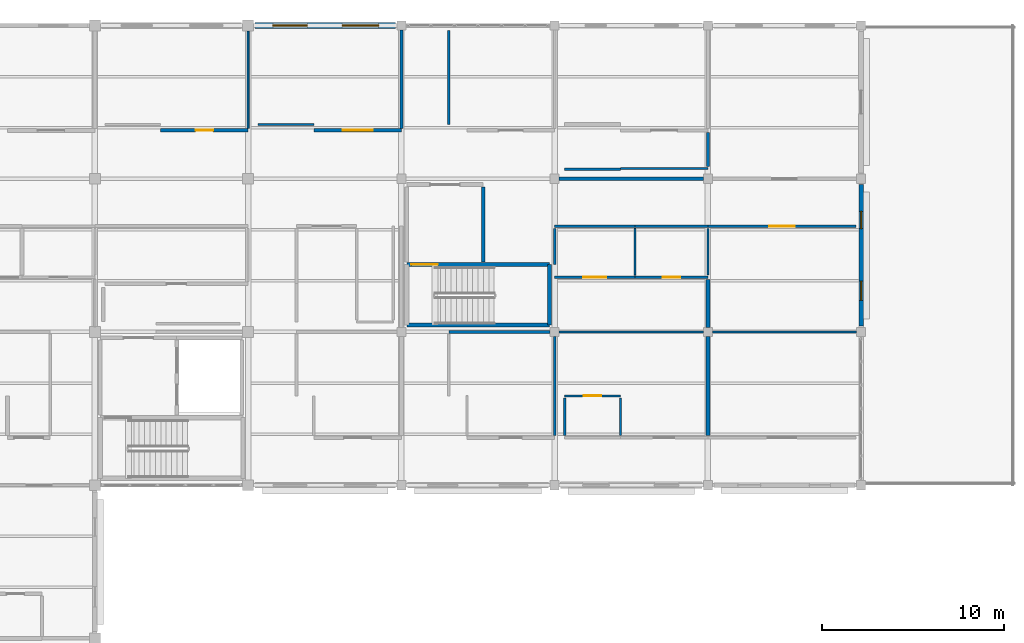
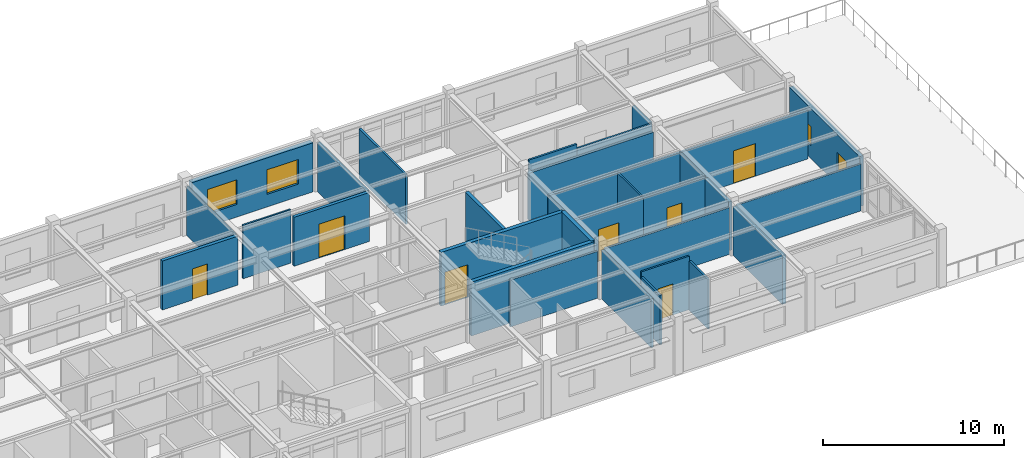
# One storey, part 58 of 70: 33 walls, 7 doors, 4 windows, 11 openings.
"""IFC4 building model written with IfcOpenShell, lengths in metres."""

from ifc_helpers import new_model, si_unit, direction, frame, frame_2d, origin, place, context, subcontext, project, spatial, rectangle, extrude, material, layer, layer_set, type_object, element, fill, save


model = new_model("IFC4")

# Units and contexts
model_context = context("Model", 3, precision=1e-05, world=origin(), true_north=direction((0.0, 1.0)))
body_context = subcontext(model_context, "Body", "Model", "MODEL_VIEW")
ifc_project = project(units=[si_unit("LENGTHUNIT", "METRE"), si_unit("AREAUNIT", "SQUARE_METRE"), si_unit("VOLUMEUNIT", "CUBIC_METRE"), si_unit("PLANEANGLEUNIT", "RADIAN"), si_unit("MASSUNIT", "GRAM", prefix="KILO")], contexts=[model_context])

# Site, building, storey
site_placement = place(None, origin())
site = spatial("IfcSite", under=ifc_project, at=site_placement, CompositionType="ELEMENT")
building_placement = place(site_placement, origin())
building = spatial("IfcBuilding", under=site, at=building_placement, Name="Bramfleet General Hospital", CompositionType="ELEMENT")
storey_placement = place(building_placement, frame((0.0, 0.0, 22.5)))
storey = spatial("IfcBuildingStorey", under=building, at=storey_placement, Name="L05", CompositionType="ELEMENT", Elevation=22.5)

# Wall, openings, windows
ifc_material_1 = material(Name="Precast concrete C40/50", Category="concrete")
ifc_layer_1 = layer(ifc_material_1, 0.31494140625, Name="WT-EW-04")
ifc_layer_set_1 = layer_set([ifc_layer_1], Name="Precast concrete C40/50")
wall_type_1 = type_object("IfcWallType", Name="WT-EW-04", PredefinedType="SOLIDWALL", material=ifc_layer_set_1)
wall_1_placement = place(storey_placement, frame((126.375, 117.60009765625, 0.0), z_axis=(0.0, 0.0, 1.0), x_axis=(1.0, 0.0, 0.0)))
wall_1 = element("IfcWall", 1, at=wall_1_placement, inside=storey, type_object=wall_type_1, Name="L05 Exterior Wall 352", PredefinedType="SOLIDWALL", context=body_context, shape_type="SweptSolid", body=[
    extrude(rectangle(XDim=7.699951171875, YDim=0.31494140625, at=frame_2d((3.85009765625, 0.0))), origin(), (0.0, 0.0, 1.0), 3.31005859375),
])
opening_1_placement = place(wall_1_placement, frame((0.97509765625, 0.0, 0.85009765625)))
opening_1 = element("IfcOpeningElement", 2, at=opening_1_placement, cuts=wall_1, Name="Opening W-39", PredefinedType="OPENING", context=body_context, shape_type="SweptSolid", body=[
    extrude(rectangle(XDim=1.89990234375, YDim=1.659912109375, at=frame_2d((0.949951171875, 0.830078125))), frame((0.0, 0.16748046875, 0.0), z_axis=(0.0, -1.0, 0.0), x_axis=(1.0, 0.0, 0.0)), (0.0, 0.0, 1.0), 0.3349609375),
])
opening_2_placement = place(wall_1_placement, frame((4.77490234375, 0.0, 0.85009765625)))
opening_2 = element("IfcOpeningElement", 3, at=opening_2_placement, cuts=wall_1, Name="Opening W-40", PredefinedType="OPENING", context=body_context, shape_type="SweptSolid", body=[
    extrude(rectangle(XDim=2.0, YDim=1.659912109375, at=frame_2d((1.0, 0.830078125))), frame((0.0, 0.16748046875, 0.0), z_axis=(0.0, -1.0, 0.0), x_axis=(1.0, 0.0, 0.0)), (0.0, 0.0, 1.0), 0.3349609375),
])
ifc_material_2 = material(Name="Anodised aluminium and low-E triple glazing", Category="aluminium")
window_type_1 = type_object("IfcWindowType", Name="WIN-W-39", PartitioningType="SINGLE_PANEL", PredefinedType="WINDOW", material=ifc_material_2)
window_1_placement = place(opening_1_placement, origin())
window_1 = element("IfcWindow", 4, at=window_1_placement, inside=storey, type_object=window_type_1, Name="L05 Facade Window WIN-L05-352-1", OverallHeight=1.659912109375, OverallWidth=1.89990234375, PartitioningType="SINGLE_PANEL", PredefinedType="WINDOW", context=body_context, shape_type="SweptSolid", body=[
    extrude(rectangle(XDim=1.89990234375, YDim=1.659912109375, at=frame_2d((0.949951171875, 0.830078125))), frame((0.0, 0.030029296875, 0.0), z_axis=(0.0, -1.0, 0.0), x_axis=(1.0, 0.0, 0.0)), (0.0, 0.0, 1.0), 0.06005859375),
])
fill(opening_1, window_1)
window_type_2 = type_object("IfcWindowType", Name="WIN-W-40", PartitioningType="SINGLE_PANEL", PredefinedType="WINDOW", material=ifc_material_2)
window_2_placement = place(opening_2_placement, origin())
window_2 = element("IfcWindow", 5, at=window_2_placement, inside=storey, type_object=window_type_2, Name="L05 Facade Window WIN-L05-352-2", OverallHeight=1.659912109375, OverallWidth=2.0, PartitioningType="SINGLE_PANEL", PredefinedType="WINDOW", context=body_context, shape_type="SweptSolid", body=[
    extrude(rectangle(XDim=2.0, YDim=1.659912109375, at=frame_2d((1.0, 0.830078125))), frame((0.0, 0.030029296875, 0.0), z_axis=(0.0, -1.0, 0.0), x_axis=(1.0, 0.0, 0.0)), (0.0, 0.0, 1.0), 0.06005859375),
])
fill(opening_2, window_2)

ifc_layer_2 = layer(ifc_material_1, 0.25, Name="WT-EW-08")
ifc_layer_set_2 = layer_set([ifc_layer_2], Name="Precast concrete C40/50")
wall_type_2 = type_object("IfcWallType", Name="WT-EW-08", PredefinedType="SOLIDWALL", material=ifc_layer_set_2)
wall_2_placement = place(storey_placement, frame((159.60009765625, 108.875, 0.0), z_axis=(0.0, 0.0, 1.0), x_axis=(0.0, -1.0, 0.0)))
wall_2 = element("IfcWall", 6, at=wall_2_placement, inside=storey, type_object=wall_type_2, Name="L05 Exterior Wall 356", PredefinedType="SOLIDWALL", context=body_context, shape_type="SweptSolid", body=[
    extrude(rectangle(XDim=7.75, YDim=0.25, at=frame_2d((3.875, 0.0))), origin(), (0.0, 0.0, 1.0), 3.3701171875),
])
opening_3_placement = place(wall_2_placement, frame((1.46240234375, 0.0, 0.85009765625)))
opening_3 = element("IfcOpeningElement", 7, at=opening_3_placement, cuts=wall_2, Name="Opening W-01", PredefinedType="OPENING", context=body_context, shape_type="SweptSolid", body=[
    extrude(rectangle(XDim=0.949951171875, YDim=1.300048828125, at=frame_2d((0.47509765625, 0.64990234375))), frame((0.0, 0.135009765625, 0.0), z_axis=(0.0, -1.0, 0.0), x_axis=(1.0, 0.0, 0.0)), (0.0, 0.0, 1.0), 0.27001953125),
])
opening_4_placement = place(wall_2_placement, frame((5.28759765625, 0.0, 0.85009765625)))
opening_4 = element("IfcOpeningElement", 8, at=opening_4_placement, cuts=wall_2, Name="Opening W-02", PredefinedType="OPENING", context=body_context, shape_type="SweptSolid", body=[
    extrude(rectangle(XDim=1.050048828125, YDim=1.300048828125, at=frame_2d((0.52490234375, 0.64990234375))), frame((0.0, 0.135009765625, 0.0), z_axis=(0.0, -1.0, 0.0), x_axis=(1.0, 0.0, 0.0)), (0.0, 0.0, 1.0), 0.27001953125),
])
window_type_3 = type_object("IfcWindowType", Name="WIN-W-01", PartitioningType="SINGLE_PANEL", PredefinedType="WINDOW", material=ifc_material_2)
window_3_placement = place(opening_3_placement, origin())
window_3 = element("IfcWindow", 9, at=window_3_placement, inside=storey, type_object=window_type_3, Name="L05 Facade Window WIN-L05-356-1", OverallHeight=1.300048828125, OverallWidth=0.949951171875, PartitioningType="SINGLE_PANEL", PredefinedType="WINDOW", context=body_context, shape_type="SweptSolid", body=[
    extrude(rectangle(XDim=0.949951171875, YDim=1.300048828125, at=frame_2d((0.47509765625, 0.64990234375))), frame((0.0, 0.030029296875, 0.0), z_axis=(0.0, -1.0, 0.0), x_axis=(1.0, 0.0, 0.0)), (0.0, 0.0, 1.0), 0.06005859375),
])
fill(opening_3, window_3)
window_type_4 = type_object("IfcWindowType", Name="WIN-W-02", PartitioningType="SINGLE_PANEL", PredefinedType="WINDOW", material=ifc_material_2)
window_4_placement = place(opening_4_placement, origin())
window_4 = element("IfcWindow", 10, at=window_4_placement, inside=storey, type_object=window_type_4, Name="L05 Facade Window WIN-L05-356-2", OverallHeight=1.300048828125, OverallWidth=1.050048828125, PartitioningType="SINGLE_PANEL", PredefinedType="WINDOW", context=body_context, shape_type="SweptSolid", body=[
    extrude(rectangle(XDim=1.050048828125, YDim=1.300048828125, at=frame_2d((0.52490234375, 0.64990234375))), frame((0.0, 0.030029296875, 0.0), z_axis=(0.0, -1.0, 0.0), x_axis=(1.0, 0.0, 0.0)), (0.0, 0.0, 1.0), 0.06005859375),
])
fill(opening_4, window_4)

# Walls
ifc_material_3 = material(Name="Concrete C35/45", Category="concrete")
ifc_layer_3 = layer(ifc_material_3, 0.219970703125, Name="WT-IW-01")
ifc_layer_set_3 = layer_set([ifc_layer_3], Name="Concrete C35/45")
wall_type_3 = type_object("IfcWallType", Name="WT-IW-01", PredefinedType="PARTITIONING", material=ifc_layer_set_3)
wall_3_placement = place(storey_placement, frame((151.199951171875, 95.114990234375, 0.0), z_axis=(0.0, 0.0, 1.0), x_axis=(0.0, 1.0, 0.0)))
element("IfcWall", 11, at=wall_3_placement, inside=storey, type_object=wall_type_3, Name="L05 Interior Partition IW-L05-3829", PredefinedType="PARTITIONING", context=body_context, shape_type="SweptSolid", body=[
    extrude(rectangle(XDim=5.43994140625, YDim=0.219970703125, at=frame_2d((2.719970703125, 0.0))), origin(), (0.0, 0.0, 1.0), 3.2900390625),
])
ifc_layer_4 = layer(ifc_material_3, 0.205078125, Name="WT-IW-02")
ifc_layer_set_4 = layer_set([ifc_layer_4], Name="Concrete C35/45")
wall_type_4 = type_object("IfcWallType", Name="WT-IW-02", PredefinedType="PARTITIONING", material=ifc_layer_set_4)
wall_4_placement = place(storey_placement, frame((138.8798828125, 104.639892578125, 0.0), z_axis=(0.0, 0.0, 1.0), x_axis=(0.0, 1.0, 0.0)))
element("IfcWall", 12, at=wall_4_placement, inside=storey, type_object=wall_type_4, Name="L05 C9 Lobby East Shaft Wall", PredefinedType="PARTITIONING", context=body_context, shape_type="SweptSolid", body=[
    extrude(rectangle(XDim=4.1201171875, YDim=0.205078125, at=frame_2d((2.06005859375, 0.0))), origin(), (0.0, 0.0, 1.0), 3.610107421875),
])

# Wall, opening, door
wall_5_placement = place(storey_placement, frame((121.199951171875, 111.85009765625, 0.0), z_axis=(0.0, 0.0, 1.0), x_axis=(1.0, 0.0, 0.0)))
wall_5 = element("IfcWall", 13, at=wall_5_placement, inside=storey, type_object=wall_type_4, Name="L05 Interior Partition IW-L05-3650", PredefinedType="PARTITIONING", context=body_context, shape_type="SweptSolid", body=[
    extrude(rectangle(XDim=4.800048828125, YDim=0.205078125, at=frame_2d((2.39990234375, 0.0))), origin(), (0.0, 0.0, 1.0), 3.300048828125),
])
opening_5_placement = place(wall_5_placement, frame((1.925048828125, 0.0, 0.0)))
opening_5 = element("IfcOpeningElement", 14, at=opening_5_placement, cuts=wall_5, Name="Opening D1418", PredefinedType="OPENING", context=body_context, shape_type="SweptSolid", body=[
    extrude(rectangle(XDim=0.949951171875, YDim=2.10009765625, at=frame_2d((0.47509765625, 1.050048828125))), frame((0.0, 0.112548828125, 0.0), z_axis=(0.0, -1.0, 0.0), x_axis=(1.0, 0.0, 0.0)), (0.0, 0.0, 1.0), 0.22509765625),
])
ifc_material_4 = material(Name="Stainless steel and acoustic timber leaf", Category="steel")
door_type_1 = type_object("IfcDoorType", Name="DR-D-10", OperationType="NOTDEFINED", PredefinedType="DOOR", material=ifc_material_4)
door_1_placement = place(opening_5_placement, origin())
door_1 = element("IfcDoor", 15, at=door_1_placement, inside=storey, type_object=door_type_1, Name="Medical and Cardiology Ward Bedroom L05-1413 Door D1418", OperationType="SINGLE_SWING_LEFT", OverallHeight=2.10009765625, OverallWidth=0.949951171875, PredefinedType="DOOR", context=body_context, shape_type="SweptSolid", body=[
    extrude(rectangle(XDim=0.949951171875, YDim=2.10009765625, at=frame_2d((0.47509765625, 1.050048828125))), frame((0.0, 0.02490234375, 0.0), z_axis=(0.0, -1.0, 0.0), x_axis=(1.0, 0.0, 0.0)), (0.0, 0.0, 1.0), 0.050048828125),
])
fill(opening_5, door_1)

# Wall
wall_6_placement = place(storey_placement, frame((151.199951171875, 101.044921875, 0.0), z_axis=(0.0, 0.0, 1.0), x_axis=(0.0, 1.0, 0.0)))
element("IfcWall", 16, at=wall_6_placement, inside=storey, type_object=wall_type_4, Name="L05 Interior Partition IW-L05-3830", PredefinedType="PARTITIONING", context=body_context, shape_type="SweptSolid", body=[
    extrude(rectangle(XDim=2.64013671875, YDim=0.205078125, at=frame_2d((1.320068359375, 0.0))), origin(), (0.0, 0.0, 1.0), 3.2900390625),
])

# Wall, opening, door
ifc_layer_5 = layer(ifc_material_3, 0.18994140625, Name="WT-IW-03")
ifc_layer_set_5 = layer_set([ifc_layer_5], Name="Concrete C35/45")
wall_type_5 = type_object("IfcWallType", Name="WT-IW-03", PredefinedType="PARTITIONING", material=ifc_layer_set_5)
wall_7_placement = place(storey_placement, frame((129.60009765625, 111.85009765625, 0.0), z_axis=(0.0, 0.0, 1.0), x_axis=(1.0, 0.0, 0.0)))
wall_7 = element("IfcWall", 17, at=wall_7_placement, inside=storey, type_object=wall_type_5, Name="L05 Interior Partition IW-L05-3651", PredefinedType="PARTITIONING", context=body_context, shape_type="SweptSolid", body=[
    extrude(rectangle(XDim=4.7998046875, YDim=0.18994140625, at=frame_2d((2.39990234375, 0.0))), origin(), (0.0, 0.0, 1.0), 3.300048828125),
])
opening_6_placement = place(wall_7_placement, frame((1.580078125, 0.0, 0.0)))
opening_6 = element("IfcOpeningElement", 18, at=opening_6_placement, cuts=wall_7, Name="Opening D1426", PredefinedType="OPENING", context=body_context, shape_type="SweptSolid", body=[
    extrude(rectangle(XDim=1.639892578125, YDim=2.280029296875, at=frame_2d((0.81982421875, 1.14013671875))), frame((0.0, 0.10498046875, 0.0), z_axis=(0.0, -1.0, 0.0), x_axis=(1.0, 0.0, 0.0)), (0.0, 0.0, 1.0), 0.2099609375),
])
door_type_2 = type_object("IfcDoorType", Name="DR-D-18", OperationType="NOTDEFINED", PredefinedType="DOOR", material=ifc_material_4)
door_2_placement = place(opening_6_placement, origin())
door_2 = element("IfcDoor", 19, at=door_2_placement, inside=storey, type_object=door_type_2, Name="Medical and Cardiology Ward Bedroom L05-1513 Door D1426", OperationType="DOUBLE_SWING_LEFT", OverallHeight=2.280029296875, OverallWidth=1.639892578125, PredefinedType="DOOR", context=body_context, shape_type="SweptSolid", body=[
    extrude(rectangle(XDim=1.639892578125, YDim=2.280029296875, at=frame_2d((0.81982421875, 1.14013671875))), frame((0.0, 0.02490234375, 0.0), z_axis=(0.0, -1.0, 0.0), x_axis=(1.0, 0.0, 0.0)), (0.0, 0.0, 1.0), 0.050048828125),
])
fill(opening_6, door_2)

# Walls
ifc_layer_6 = layer(ifc_material_3, 0.179931640625, Name="WT-IW-04")
ifc_layer_set_6 = layer_set([ifc_layer_6], Name="Concrete C35/45")
wall_type_6 = type_object("IfcWallType", Name="WT-IW-04", PredefinedType="PARTITIONING", material=ifc_layer_set_6)
wall_8_placement = place(storey_placement, frame((143.044921875, 109.199951171875, 0.0), z_axis=(0.0, 0.0, 1.0), x_axis=(1.0, 0.0, 0.0)))
element("IfcWall", 20, at=wall_8_placement, inside=storey, type_object=wall_type_6, Name="L05 Interior Partition IW-L05-3640", PredefinedType="PARTITIONING", context=body_context, shape_type="SweptSolid", body=[
    extrude(rectangle(XDim=7.91015625, YDim=0.179931640625, at=frame_2d((3.955078125, 0.0))), origin(), (0.0, 0.0, 1.0), 3.159912109375),
])
wall_9_placement = place(storey_placement, frame((134.39990234375, 111.965087890625, 0.0), z_axis=(0.0, 0.0, 1.0), x_axis=(0.0, 1.0, 0.0)))
element("IfcWall", 21, at=wall_9_placement, inside=storey, type_object=wall_type_6, Name="L05 Interior Partition IW-L05-3808", PredefinedType="PARTITIONING", context=body_context, shape_type="SweptSolid", body=[
    extrude(rectangle(XDim=5.389892578125, YDim=0.179931640625, at=frame_2d((2.69482421875, 0.0))), origin(), (0.0, 0.0, 1.0), 3.300048828125),
])
wall_10_placement = place(storey_placement, frame((151.199951171875, 109.864990234375, 0.0), z_axis=(0.0, 0.0, 1.0), x_axis=(0.0, 1.0, 0.0)))
element("IfcWall", 22, at=wall_10_placement, inside=storey, type_object=wall_type_6, Name="L05 Interior Partition IW-L05-3832", PredefinedType="PARTITIONING", context=body_context, shape_type="SweptSolid", body=[
    extrude(rectangle(XDim=1.8701171875, YDim=0.179931640625, at=frame_2d((0.93505859375, 0.0))), origin(), (0.0, 0.0, 1.0), 3.2900390625),
])

# Wall, opening, door
ifc_material_5 = material(Name="Gypsum plasterboard on acoustic steel studs", Category="steel")
ifc_layer_7 = layer(ifc_material_5, 0.14990234375, Name="WT-IW-07")
ifc_layer_set_7 = layer_set([ifc_layer_7], Name="Gypsum plasterboard on acoustic steel studs")
wall_type_7 = type_object("IfcWallType", Name="WT-IW-07", PredefinedType="PARTITIONING", material=ifc_layer_set_7)
wall_11_placement = place(storey_placement, frame((142.800048828125, 103.800048828125, 0.0), z_axis=(0.0, 0.0, 1.0), x_axis=(1.0, 0.0, 0.0)))
wall_11 = element("IfcWall", 23, at=wall_11_placement, inside=storey, type_object=wall_type_7, Name="L05 Interior Partition IW-L05-3619", PredefinedType="PARTITIONING", context=body_context, shape_type="SweptSolid", body=[
    extrude(rectangle(XDim=4.39990234375, YDim=0.14990234375, at=frame_2d((2.199951171875, 0.0))), origin(), (0.0, 0.0, 1.0), 3.300048828125),
])
opening_7_placement = place(wall_11_placement, frame((1.56005859375, 0.0, 0.0)))
opening_7 = element("IfcOpeningElement", 24, at=opening_7_placement, cuts=wall_11, Name="Opening D1437", PredefinedType="OPENING", context=body_context, shape_type="SweptSolid", body=[
    extrude(rectangle(XDim=1.280029296875, YDim=2.179931640625, at=frame_2d((0.64013671875, 1.08984375))), frame((0.0, 0.0849609375, 0.0), z_axis=(0.0, -1.0, 0.0), x_axis=(1.0, 0.0, 0.0)), (0.0, 0.0, 1.0), 0.169921875),
])
door_type_3 = type_object("IfcDoorType", Name="DR-D-29", OperationType="NOTDEFINED", PredefinedType="DOOR", material=ifc_material_4)
door_3_placement = place(opening_7_placement, origin())
door_3 = element("IfcDoor", 25, at=door_3_placement, inside=storey, type_object=door_type_3, Name="Clean Medication and Treatment Room L05-1712 Door D1437", OperationType="SINGLE_SWING_RIGHT", OverallHeight=2.179931640625, OverallWidth=1.280029296875, PredefinedType="DOOR", context=body_context, shape_type="SweptSolid", body=[
    extrude(rectangle(XDim=1.280029296875, YDim=2.179931640625, at=frame_2d((0.64013671875, 1.08984375))), frame((0.0, 0.02490234375, 0.0), z_axis=(0.0, -1.0, 0.0), x_axis=(1.0, 0.0, 0.0)), (0.0, 0.0, 1.0), 0.050048828125),
])
fill(opening_7, door_3)

# Walls
wall_12_placement = place(storey_placement, frame((142.800048828125, 106.60009765625, 0.0), z_axis=(0.0, 0.0, 1.0), x_axis=(1.0, 0.0, 0.0)))
element("IfcWall", 26, at=wall_12_placement, inside=storey, type_object=wall_type_7, Name="L05 Interior Partition IW-L05-3631", PredefinedType="PARTITIONING", context=body_context, shape_type="SweptSolid", body=[
    extrude(rectangle(XDim=4.39990234375, YDim=0.14990234375, at=frame_2d((2.199951171875, 0.0))), origin(), (0.0, 0.0, 1.0), 3.300048828125),
])
wall_13_placement = place(storey_placement, frame((142.800048828125, 95.114990234375, 0.0), z_axis=(0.0, 0.0, 1.0), x_axis=(0.0, 1.0, 0.0)))
element("IfcWall", 27, at=wall_13_placement, inside=storey, type_object=wall_type_7, Name="L05 Interior Partition IW-L05-3823", PredefinedType="PARTITIONING", context=body_context, shape_type="SweptSolid", body=[
    extrude(rectangle(XDim=5.43994140625, YDim=0.14990234375, at=frame_2d((2.719970703125, 0.0))), origin(), (0.0, 0.0, 1.0), 3.300048828125),
])
ifc_layer_8 = layer(ifc_material_5, 0.139892578125, Name="WT-IW-08")
ifc_layer_set_8 = layer_set([ifc_layer_8], Name="Gypsum plasterboard on acoustic steel studs")
wall_type_8 = type_object("IfcWallType", Name="WT-IW-08", PredefinedType="PARTITIONING", material=ifc_layer_set_8)
wall_14_placement = place(storey_placement, frame((137.0, 100.800048828125, 0.0), z_axis=(0.0, 0.0, 1.0), x_axis=(1.0, 0.0, 0.0)))
element("IfcWall", 28, at=wall_14_placement, inside=storey, type_object=wall_type_8, Name="L05 Interior Partition IW-L05-3608", PredefinedType="PARTITIONING", context=body_context, shape_type="SweptSolid", body=[
    extrude(rectangle(XDim=5.554931640625, YDim=0.139892578125, at=frame_2d((2.77734375, 0.0))), origin(), (0.0, 0.0, 1.0), 3.159912109375),
])
wall_15_placement = place(storey_placement, frame((142.800048828125, 104.5, 0.0), z_axis=(0.0, 0.0, 1.0), x_axis=(0.0, 1.0, 0.0)))
element("IfcWall", 29, at=wall_15_placement, inside=storey, type_object=wall_type_8, Name="L05 Interior Partition IW-L05-3824", PredefinedType="PARTITIONING", context=body_context, shape_type="SweptSolid", body=[
    extrude(rectangle(XDim=1.985107421875, YDim=0.139892578125, at=frame_2d((0.99267578125, 0.0))), origin(), (0.0, 0.0, 1.0), 3.300048828125),
])
ifc_layer_9 = layer(ifc_material_5, 0.1298828125, Name="WT-IW-09")
ifc_layer_set_9 = layer_set([ifc_layer_9], Name="Gypsum plasterboard on acoustic steel studs")
wall_type_9 = type_object("IfcWallType", Name="WT-IW-09", PredefinedType="PARTITIONING", material=ifc_layer_set_9)
wall_16_placement = place(storey_placement, frame((143.044921875, 100.800048828125, 0.0), z_axis=(0.0, 0.0, 1.0), x_axis=(1.0, 0.0, 0.0)))
element("IfcWall", 30, at=wall_16_placement, inside=storey, type_object=wall_type_9, Name="L05 Interior Partition IW-L05-3609", PredefinedType="PARTITIONING", context=body_context, shape_type="SweptSolid", body=[
    extrude(rectangle(XDim=7.91015625, YDim=0.1298828125, at=frame_2d((3.955078125, 0.0))), origin(), (0.0, 0.0, 1.0), 3.159912109375),
])

# Wall, opening, door
wall_17_placement = place(storey_placement, frame((151.199951171875, 106.60009765625, 0.0), z_axis=(0.0, 0.0, 1.0), x_axis=(1.0, 0.0, 0.0)))
wall_17 = element("IfcWall", 31, at=wall_17_placement, inside=storey, type_object=wall_type_9, Name="L05 Interior Partition IW-L05-3633", PredefinedType="PARTITIONING", context=body_context, shape_type="SweptSolid", body=[
    extrude(rectangle(XDim=8.1201171875, YDim=0.1298828125, at=frame_2d((4.06005859375, 0.0))), origin(), (0.0, 0.0, 1.0), 3.2900390625),
])
opening_8_placement = place(wall_17_placement, frame((3.360107421875, 0.0, 0.0)))
opening_8 = element("IfcOpeningElement", 32, at=opening_8_placement, cuts=wall_17, Name="Opening D1441", PredefinedType="OPENING", context=body_context, shape_type="SweptSolid", body=[
    extrude(rectangle(XDim=1.39990234375, YDim=2.199951171875, at=frame_2d((0.699951171875, 1.10009765625))), frame((0.0, 0.074951171875, 0.0), z_axis=(0.0, -1.0, 0.0), x_axis=(1.0, 0.0, 0.0)), (0.0, 0.0, 1.0), 0.14990234375),
])
door_type_4 = type_object("IfcDoorType", Name="DR-D-01", OperationType="NOTDEFINED", PredefinedType="DOOR", material=ifc_material_4)
door_4_placement = place(opening_8_placement, origin())
door_4 = element("IfcDoor", 33, at=door_4_placement, inside=storey, type_object=door_type_4, Name="Patient Dayroom and Garden Lounge L05-1812 Door D1441", OperationType="SINGLE_SWING_RIGHT", OverallHeight=2.199951171875, OverallWidth=1.39990234375, PredefinedType="DOOR", context=body_context, shape_type="SweptSolid", body=[
    extrude(rectangle(XDim=1.39990234375, YDim=2.199951171875, at=frame_2d((0.699951171875, 1.10009765625))), frame((0.0, 0.02490234375, 0.0), z_axis=(0.0, -1.0, 0.0), x_axis=(1.0, 0.0, 0.0)), (0.0, 0.0, 1.0), 0.050048828125),
])
fill(opening_8, door_4)

# Walls
wall_18_placement = place(storey_placement, frame((137.0, 112.169921875, 0.0), z_axis=(0.0, 0.0, 1.0), x_axis=(0.0, 1.0, 0.0)))
element("IfcWall", 34, at=wall_18_placement, inside=storey, type_object=wall_type_9, Name="L05 Interior Partition IW-L05-3813", PredefinedType="PARTITIONING", context=body_context, shape_type="SweptSolid", body=[
    extrude(rectangle(XDim=5.150146484375, YDim=0.1298828125, at=frame_2d((2.5751953125, 0.0))), origin(), (0.0, 0.0, 1.0), 3.340087890625),
])
ifc_layer_10 = layer(ifc_material_5, 0.1201171875, Name="WT-IW-10")
ifc_layer_set_10 = layer_set([ifc_layer_10], Name="Gypsum plasterboard on acoustic steel studs")
wall_type_10 = type_object("IfcWallType", Name="WT-IW-10", PredefinedType="PARTITIONING", material=ifc_layer_set_10)
wall_19_placement = place(storey_placement, frame((151.445068359375, 100.800048828125, 0.0), z_axis=(0.0, 0.0, 1.0), x_axis=(1.0, 0.0, 0.0)))
element("IfcWall", 35, at=wall_19_placement, inside=storey, type_object=wall_type_10, Name="L05 Interior Partition IW-L05-3610", PredefinedType="PARTITIONING", context=body_context, shape_type="SweptSolid", body=[
    extrude(rectangle(XDim=7.909912109375, YDim=0.1201171875, at=frame_2d((3.955078125, 0.0))), origin(), (0.0, 0.0, 1.0), 3.14990234375),
])

# Wall, opening, door
wall_20_placement = place(storey_placement, frame((147.199951171875, 103.800048828125, 0.0), z_axis=(0.0, 0.0, 1.0), x_axis=(1.0, 0.0, 0.0)))
wall_20 = element("IfcWall", 36, at=wall_20_placement, inside=storey, type_object=wall_type_10, Name="L05 Interior Partition IW-L05-3620", PredefinedType="PARTITIONING", context=body_context, shape_type="SweptSolid", body=[
    extrude(rectangle(XDim=4.0, YDim=0.1201171875, at=frame_2d((2.0, 0.0))), origin(), (0.0, 0.0, 1.0), 3.2900390625),
])
opening_9_placement = place(wall_20_placement, frame((1.52490234375, 0.0, 0.0)))
opening_9 = element("IfcOpeningElement", 37, at=opening_9_placement, cuts=wall_20, Name="Opening D1438", PredefinedType="OPENING", context=body_context, shape_type="SweptSolid", body=[
    extrude(rectangle(XDim=0.949951171875, YDim=2.10009765625, at=frame_2d((0.47509765625, 1.050048828125))), frame((0.0, 0.070068359375, 0.0), z_axis=(0.0, -1.0, 0.0), x_axis=(1.0, 0.0, 0.0)), (0.0, 0.0, 1.0), 0.14013671875),
])
door_5_placement = place(opening_9_placement, origin())
door_5 = element("IfcDoor", 38, at=door_5_placement, inside=storey, type_object=door_type_1, Name="L05 Accessible and Staff WC 1712 Door D1438", OperationType="SINGLE_SWING_LEFT", OverallHeight=2.10009765625, OverallWidth=0.949951171875, PredefinedType="DOOR", context=body_context, shape_type="SweptSolid", body=[
    extrude(rectangle(XDim=0.949951171875, YDim=2.10009765625, at=frame_2d((0.47509765625, 1.050048828125))), frame((0.0, 0.02490234375, 0.0), z_axis=(0.0, -1.0, 0.0), x_axis=(1.0, 0.0, 0.0)), (0.0, 0.0, 1.0), 0.050048828125),
])
fill(opening_9, door_5)

# Walls
wall_21_placement = place(storey_placement, frame((147.199951171875, 106.60009765625, 0.0), z_axis=(0.0, 0.0, 1.0), x_axis=(1.0, 0.0, 0.0)))
element("IfcWall", 39, at=wall_21_placement, inside=storey, type_object=wall_type_10, Name="L05 Interior Partition IW-L05-3632", PredefinedType="PARTITIONING", context=body_context, shape_type="SweptSolid", body=[
    extrude(rectangle(XDim=4.0, YDim=0.1201171875, at=frame_2d((2.0, 0.0))), origin(), (0.0, 0.0, 1.0), 3.2900390625),
])
wall_22_placement = place(storey_placement, frame((143.35009765625, 109.719970703125, 0.0), z_axis=(0.0, 0.0, 1.0), x_axis=(1.0, 0.0, 0.0)))
element("IfcWall", 40, at=wall_22_placement, inside=storey, type_object=wall_type_10, Name="L05 Interior Partition IW-L05-3646", PredefinedType="PARTITIONING", context=body_context, shape_type="SweptSolid", body=[
    extrude(rectangle(XDim=3.0498046875, YDim=0.1201171875, at=frame_2d((1.52490234375, 0.0))), origin(), (0.0, 0.0, 1.0), 3.610107421875),
])
wall_23_placement = place(storey_placement, frame((143.35009765625, 95.114990234375, 0.0), z_axis=(0.0, 0.0, 1.0), x_axis=(0.0, 1.0, 0.0)))
element("IfcWall", 41, at=wall_23_placement, inside=storey, type_object=wall_type_10, Name="L05 Interior Partition IW-L05-3826", PredefinedType="PARTITIONING", context=body_context, shape_type="SweptSolid", body=[
    extrude(rectangle(XDim=2.070068359375, YDim=0.1201171875, at=frame_2d((1.03515625, 0.0))), origin(), (0.0, 0.0, 1.0), 3.340087890625),
])
wall_24_placement = place(storey_placement, frame((151.199951171875, 103.9150390625, 0.0), z_axis=(0.0, 0.0, 1.0), x_axis=(0.0, 1.0, 0.0)))
element("IfcWall", 42, at=wall_24_placement, inside=storey, type_object=wall_type_10, Name="L05 Interior Partition IW-L05-3831", PredefinedType="PARTITIONING", context=body_context, shape_type="SweptSolid", body=[
    extrude(rectangle(XDim=2.570068359375, YDim=0.1201171875, at=frame_2d((1.28515625, 0.0))), origin(), (0.0, 0.0, 1.0), 3.2900390625),
])

# Wall, opening, door
ifc_layer_11 = layer(ifc_material_5, 0.112060546875, Name="WT-IW-11")
ifc_layer_set_11 = layer_set([ifc_layer_11], Name="Gypsum plasterboard on acoustic steel studs")
wall_type_11 = type_object("IfcWallType", Name="WT-IW-11", PredefinedType="PARTITIONING", material=ifc_layer_set_11)
wall_25_placement = place(storey_placement, frame((143.35009765625, 97.300048828125, 0.0), z_axis=(0.0, 0.0, 1.0), x_axis=(1.0, 0.0, 0.0)))
wall_25 = element("IfcWall", 43, at=wall_25_placement, inside=storey, type_object=wall_type_11, Name="L05 Interior Partition IW-L05-3599", PredefinedType="PARTITIONING", context=body_context, shape_type="SweptSolid", body=[
    extrude(rectangle(XDim=3.0498046875, YDim=0.112060546875, at=frame_2d((1.52490234375, 0.0))), origin(), (0.0, 0.0, 1.0), 3.610107421875),
])
opening_10_placement = place(wall_25_placement, frame((1.050048828125, 0.0, 0.0)))
opening_10 = element("IfcOpeningElement", 44, at=opening_10_placement, cuts=wall_25, Name="Opening D1436", PredefinedType="OPENING", context=body_context, shape_type="SweptSolid", body=[
    extrude(rectangle(XDim=0.949951171875, YDim=2.10009765625, at=frame_2d((0.47509765625, 1.050048828125))), frame((0.0, 0.06591796875, 0.0), z_axis=(0.0, -1.0, 0.0), x_axis=(1.0, 0.0, 0.0)), (0.0, 0.0, 1.0), 0.132080078125),
])
door_6_placement = place(opening_10_placement, origin())
door_6 = element("IfcDoor", 45, at=door_6_placement, inside=storey, type_object=door_type_1, Name="En-Suite Bathroom L05-1711 Door D1436", OperationType="SINGLE_SWING_LEFT", OverallHeight=2.10009765625, OverallWidth=0.949951171875, PredefinedType="DOOR", context=body_context, shape_type="SweptSolid", body=[
    extrude(rectangle(XDim=0.949951171875, YDim=2.10009765625, at=frame_2d((0.47509765625, 1.050048828125))), frame((0.0, 0.02490234375, 0.0), z_axis=(0.0, -1.0, 0.0), x_axis=(1.0, 0.0, 0.0)), (0.0, 0.0, 1.0), 0.050048828125),
])
fill(opening_10, door_6)

# Walls
wall_26_placement = place(storey_placement, frame((146.39990234375, 109.75, 0.0), z_axis=(0.0, 0.0, 1.0), x_axis=(1.0, 0.0, 0.0)))
element("IfcWall", 46, at=wall_26_placement, inside=storey, type_object=wall_type_11, Name="L05 Interior Partition IW-L05-3647", PredefinedType="PARTITIONING", context=body_context, shape_type="SweptSolid", body=[
    extrude(rectangle(XDim=4.800048828125, YDim=0.112060546875, at=frame_2d((2.39990234375, 0.0))), origin(), (0.0, 0.0, 1.0), 3.2900390625),
])
wall_27_placement = place(storey_placement, frame((146.39990234375, 95.114990234375, 0.0), z_axis=(0.0, 0.0, 1.0), x_axis=(0.0, 1.0, 0.0)))
element("IfcWall", 47, at=wall_27_placement, inside=storey, type_object=wall_type_11, Name="L05 Interior Partition IW-L05-3827", PredefinedType="PARTITIONING", context=body_context, shape_type="SweptSolid", body=[
    extrude(rectangle(XDim=2.070068359375, YDim=0.112060546875, at=frame_2d((1.03515625, 0.0))), origin(), (0.0, 0.0, 1.0), 3.340087890625),
])
ifc_layer_12 = layer(ifc_material_5, 0.10009765625, Name="WT-IW-12")
ifc_layer_set_12 = layer_set([ifc_layer_12], Name="Gypsum plasterboard on acoustic steel studs")
wall_type_12 = type_object("IfcWallType", Name="WT-IW-12", PredefinedType="PARTITIONING", material=ifc_layer_set_12)
wall_28_placement = place(storey_placement, frame((126.550048828125, 112.169921875, 0.0), z_axis=(0.0, 0.0, 1.0), x_axis=(1.0, 0.0, 0.0)))
element("IfcWall", 48, at=wall_28_placement, inside=storey, type_object=wall_type_12, Name="L05 Interior Partition IW-L05-3660", PredefinedType="PARTITIONING", context=body_context, shape_type="SweptSolid", body=[
    extrude(rectangle(XDim=3.050048828125, YDim=0.10009765625, at=frame_2d((1.52490234375, 0.0))), origin(), (0.0, 0.0, 1.0), 3.610107421875),
])
wall_29_placement = place(storey_placement, frame((126.0, 111.965087890625, 0.0), z_axis=(0.0, 0.0, 1.0), x_axis=(0.0, 1.0, 0.0)))
element("IfcWall", 49, at=wall_29_placement, inside=storey, type_object=wall_type_12, Name="L05 Interior Partition IW-L05-3792", PredefinedType="PARTITIONING", context=body_context, shape_type="SweptSolid", body=[
    extrude(rectangle(XDim=5.33984375, YDim=0.10009765625, at=frame_2d((2.669921875, 0.0))), origin(), (0.0, 0.0, 1.0), 3.300048828125),
])
wall_30_placement = place(storey_placement, frame((147.199951171875, 103.9150390625, 0.0), z_axis=(0.0, 0.0, 1.0), x_axis=(0.0, 1.0, 0.0)))
element("IfcWall", 50, at=wall_30_placement, inside=storey, type_object=wall_type_12, Name="L05 Interior Partition IW-L05-3828", PredefinedType="PARTITIONING", context=body_context, shape_type="SweptSolid", body=[
    extrude(rectangle(XDim=2.570068359375, YDim=0.10009765625, at=frame_2d((1.28515625, 0.0))), origin(), (0.0, 0.0, 1.0), 3.340087890625),
])
ifc_material_6 = material(Name="Concrete C40/50", Category="concrete")
ifc_layer_13 = layer(ifc_material_6, 0.239990234375, Name="WT-SW-240")
ifc_layer_set_13 = layer_set([ifc_layer_13], Name="Concrete C40/50")
wall_type_13 = type_object("IfcWallType", Name="WT-SW-240", PredefinedType="SHEAR", material=ifc_layer_set_13)
wall_31_placement = place(storey_placement, frame((134.699951171875, 101.179931640625, 0.0), z_axis=(0.0, 0.0, 1.0), x_axis=(1.0, 0.0, 0.0)))
element("IfcWall", 51, at=wall_31_placement, inside=storey, type_object=wall_type_13, Name="L05 C9 South Stair Shear Wall", PredefinedType="SHEAR", context=body_context, shape_type="SweptSolid", body=[
    extrude(rectangle(XDim=7.820068359375, YDim=0.239990234375, at=frame_2d((3.91015625, 0.0))), origin(), (0.0, 0.0, 1.0), 3.6201171875),
])
wall_32_placement = place(storey_placement, frame((142.52001953125, 101.179931640625, 0.0), z_axis=(0.0, 0.0, 1.0), x_axis=(0.0, 1.0, 0.0)))
element("IfcWall", 52, at=wall_32_placement, inside=storey, type_object=wall_type_13, Name="L05 C9 East Stair Shear Wall", PredefinedType="SHEAR", context=body_context, shape_type="SweptSolid", body=[
    extrude(rectangle(XDim=3.320068359375, YDim=0.239990234375, at=frame_2d((1.66015625, 0.0))), origin(), (0.0, 0.0, 1.0), 3.6201171875),
])

# Wall, opening, door
wall_33_placement = place(storey_placement, frame((134.699951171875, 104.5, 0.0), z_axis=(0.0, 0.0, 1.0), x_axis=(1.0, 0.0, 0.0)))
wall_33 = element("IfcWall", 53, at=wall_33_placement, inside=storey, type_object=wall_type_13, Name="L05 C9 Stair-Lobby Shear Wall", PredefinedType="SHEAR", context=body_context, shape_type="SweptSolid", body=[
    extrude(rectangle(XDim=7.820068359375, YDim=0.239990234375, at=frame_2d((3.91015625, 0.0))), origin(), (0.0, 0.0, 1.0), 3.6201171875),
])
opening_11_placement = place(wall_33_placement, frame((0.25, 0.0, 0.0)))
opening_11 = element("IfcOpeningElement", 54, at=opening_11_placement, cuts=wall_33, Name="Opening D0119", PredefinedType="OPENING", context=body_context, shape_type="SweptSolid", body=[
    extrude(rectangle(XDim=1.449951171875, YDim=2.199951171875, at=frame_2d((0.72509765625, 1.10009765625))), frame((0.0, 0.1298828125, 0.0), z_axis=(0.0, -1.0, 0.0), x_axis=(1.0, 0.0, 0.0)), (0.0, 0.0, 1.0), 0.260009765625),
])
door_type_5 = type_object("IfcDoorType", Name="DR-D-03", OperationType="NOTDEFINED", PredefinedType="DOOR", material=ifc_material_4)
door_7_placement = place(opening_11_placement, origin())
door_7 = element("IfcDoor", 55, at=door_7_placement, inside=storey, type_object=door_type_5, Name="L05 C9 Escape Stair Fire Door D0119", OperationType="SINGLE_SWING_RIGHT", OverallHeight=2.199951171875, OverallWidth=1.449951171875, PredefinedType="DOOR", context=body_context, shape_type="SweptSolid", body=[
    extrude(rectangle(XDim=1.449951171875, YDim=2.199951171875, at=frame_2d((0.72509765625, 1.10009765625))), frame((0.0, 0.02490234375, 0.0), z_axis=(0.0, -1.0, 0.0), x_axis=(1.0, 0.0, 0.0)), (0.0, 0.0, 1.0), 0.050048828125),
])
fill(opening_11, door_7)

save(model, "model.ifc")
